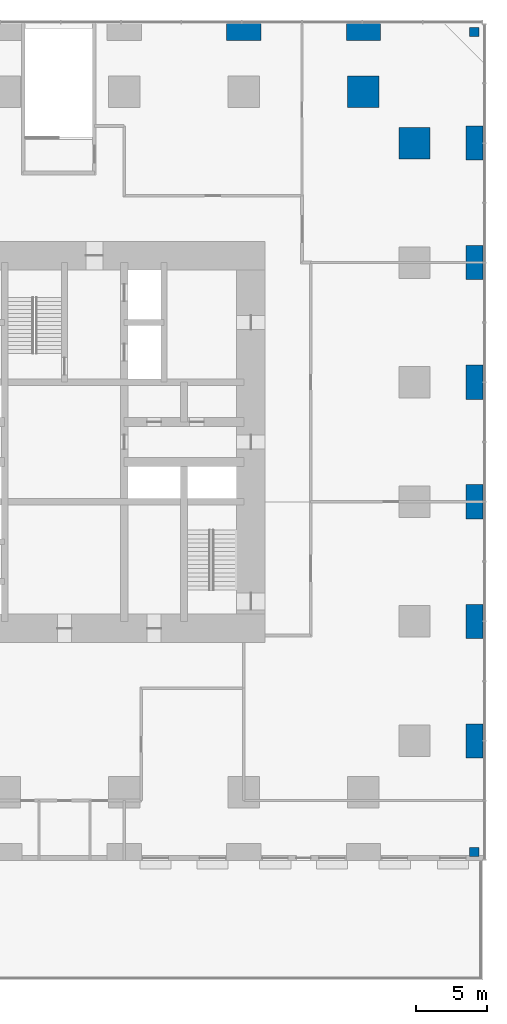
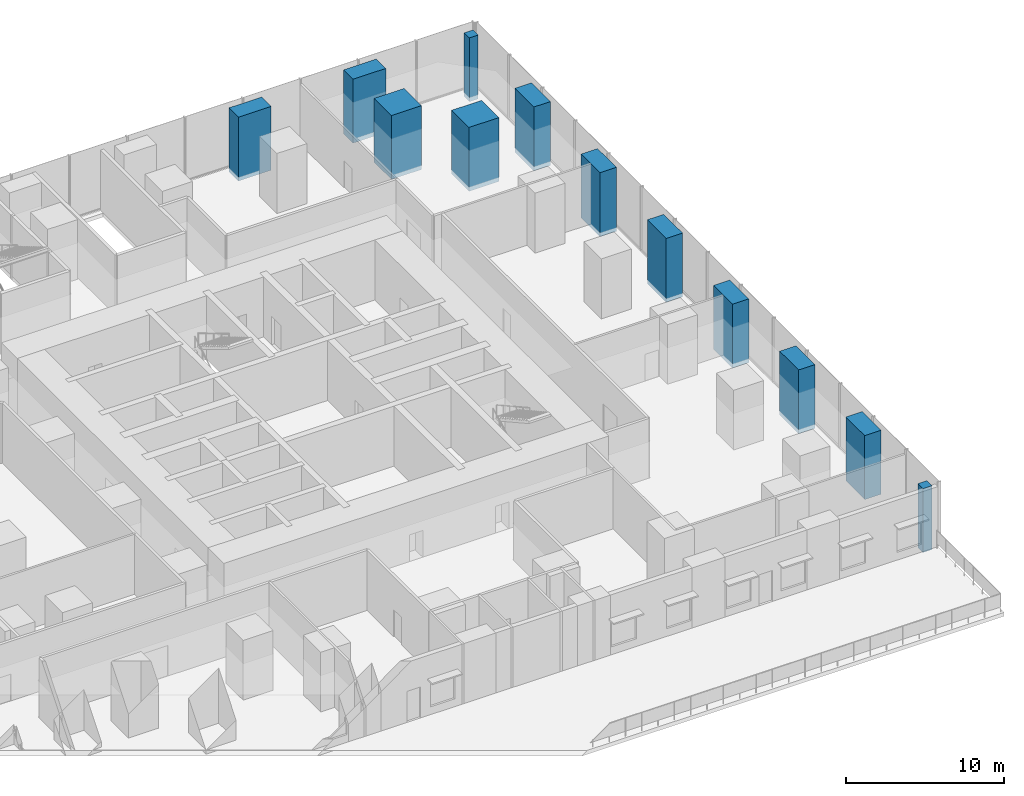
# One storey, part 5 of 18: 12 columns.
"""IFC4 building model written with IfcOpenShell, lengths in metres."""

from ifc_helpers import new_model, si_unit, direction, frame, origin, origin_2d, place, context, subcontext, project, spatial, rectangle, extrude, material, material_profile, profile_set, type_object, element, save


model = new_model("IFC4")

# Units and contexts
model_context = context("Model", 3, precision=1e-05, world=origin(), true_north=direction((0.0, 1.0)))
body_context = subcontext(model_context, "Body", "Model", "MODEL_VIEW")
ifc_project = project(units=[si_unit("LENGTHUNIT", "METRE"), si_unit("AREAUNIT", "SQUARE_METRE"), si_unit("VOLUMEUNIT", "CUBIC_METRE"), si_unit("PLANEANGLEUNIT", "RADIAN"), si_unit("MASSUNIT", "GRAM", prefix="KILO")], contexts=[model_context])

# Site, building, storey
site_placement = place(None, origin())
site = spatial("IfcSite", under=ifc_project, at=site_placement, CompositionType="ELEMENT")
building_placement = place(site_placement, origin())
building = spatial("IfcBuilding", under=site, at=building_placement, Name="Dunama Terrace Hotel", CompositionType="ELEMENT")
storey_placement = place(building_placement, frame((0.0, 0.0, 17.0)))
storey = spatial("IfcBuildingStorey", under=building, at=storey_placement, Name="L03", CompositionType="ELEMENT", Elevation=17.0)

# Columns
ifc_material_1 = material(Name="Concrete C60/75", Category="concrete")
ifc_material_profile_1 = material_profile(ifc_material_1, rectangle(XDim=1.199951171875, YDim=2.39990234375, at=origin_2d()), Name="RC 1200x2400")
ifc_profile_set_1 = profile_set([ifc_material_profile_1], Name="Concrete C60/75")
column_type_1 = type_object("IfcColumnType", Name="Column RC 1200x2400", PredefinedType="COLUMN", material=ifc_profile_set_1)
for number, where, z_axis, x_axis, name in (
    (1, (58.199951171875, 8.39990234375, -0.300048828125), (0.0, 0.0, 1.0), (1.0, 0.0, 0.0), "Column L03 +58.2/+8.4"),
    (2, (58.199951171875, 16.800048828125, -0.300048828125), (0.0, 0.0, 1.0), (1.0, 0.0, 0.0), "Column L03 +58.2/+16.8"),
    (3, (58.199951171875, 25.199951171875, -0.300048828125), (0.0, 0.0, 1.0), (1.0, 0.0, 0.0), "Column L03 +58.2/+25.2"),
    (4, (58.199951171875, 33.60009765625, -0.300048828125), (0.0, 0.0, 1.0), (1.0, 0.0, 0.0), "Column L03 +58.2/+33.6"),
    (5, (58.199951171875, 42.0, -0.300048828125), (0.0, 0.0, 1.0), (1.0, 0.0, 0.0), "Column L03 +58.2/+42.0"),
    (6, (58.199951171875, 50.39990234375, -0.300048828125), (0.0, 0.0, 1.0), (1.0, 0.0, 0.0), "Column L03 +58.2/+50.4"),
):
    element("IfcColumn", number, at=place(storey_placement, frame(where, z_axis=z_axis, x_axis=x_axis)), inside=storey, type_object=column_type_1, Name=name, PredefinedType="COLUMN", context=body_context, shape_type="SweptSolid", body=[
        extrude(rectangle(XDim=1.199951171875, YDim=2.39990234375, at=origin_2d()), origin(), (0.0, 0.0, 1.0), 4.949951171875),
    ])
ifc_material_2 = material(Name="Concrete C60/75", Category="concrete")
ifc_material_profile_2 = material_profile(ifc_material_2, rectangle(XDim=2.199951171875, YDim=2.199951171875, at=origin_2d()), Name="RC 2200x2200")
ifc_profile_set_2 = profile_set([ifc_material_profile_2], Name="Concrete C60/75")
column_type_2 = type_object("IfcColumnType", Name="Column RC 2200x2200", PredefinedType="COLUMN", material=ifc_profile_set_2)
for number, where, z_axis, x_axis, name in (
    (7, (50.39990234375, 54.0, -0.300048828125), (0.0, 0.0, 1.0), (1.0, 0.0, 0.0), "Column L03 +50.4/+54.0"),
    (8, (54.0, 50.39990234375, -0.300048828125), (0.0, 0.0, 1.0), (1.0, 0.0, 0.0), "Column L03 +54.0/+50.4"),
):
    element("IfcColumn", number, at=place(storey_placement, frame(where, z_axis=z_axis, x_axis=x_axis)), inside=storey, type_object=column_type_2, Name=name, PredefinedType="COLUMN", context=body_context, shape_type="SweptSolid", body=[
        extrude(rectangle(XDim=2.199951171875, YDim=2.199951171875, at=origin_2d()), origin(), (0.0, 0.0, 1.0), 4.949951171875),
    ])
ifc_material_3 = material(Name="Concrete C60/75", Category="concrete")
ifc_material_profile_3 = material_profile(ifc_material_3, rectangle(XDim=2.39990234375, YDim=1.199951171875, at=origin_2d()), Name="RC 2400x1200")
ifc_profile_set_3 = profile_set([ifc_material_profile_3], Name="Concrete C60/75")
column_type_3 = type_object("IfcColumnType", Name="Column RC 2400x1200", PredefinedType="COLUMN", material=ifc_profile_set_3)
for number, where, z_axis, x_axis, name in (
    (9, (42.0, 58.199951171875, -0.300048828125), (0.0, 0.0, 1.0), (1.0, 0.0, 0.0), "Column L03 +42.0/+58.2"),
    (10, (50.39990234375, 58.199951171875, -0.300048828125), (0.0, 0.0, 1.0), (1.0, 0.0, 0.0), "Column L03 +50.4/+58.2"),
):
    element("IfcColumn", number, at=place(storey_placement, frame(where, z_axis=z_axis, x_axis=x_axis)), inside=storey, type_object=column_type_3, Name=name, PredefinedType="COLUMN", context=body_context, shape_type="SweptSolid", body=[
        extrude(rectangle(XDim=2.39990234375, YDim=1.199951171875, at=origin_2d()), origin(), (0.0, 0.0, 1.0), 4.949951171875),
    ])
ifc_material_4 = material(Name="Concrete C40/50", Category="concrete")
ifc_material_profile_4 = material_profile(ifc_material_4, rectangle(XDim=0.64990234375, YDim=0.64990234375, at=origin_2d()), Name="RC 650x650")
ifc_profile_set_4 = profile_set([ifc_material_profile_4], Name="Concrete C40/50")
column_type_4 = type_object("IfcColumnType", Name="Column RC 650x650", PredefinedType="COLUMN", material=ifc_profile_set_4)
for number, where, z_axis, x_axis, name in (
    (11, (58.199951171875, 0.60009765625, -0.300048828125), (0.0, 0.0, 1.0), (1.0, 0.0, 0.0), "Column L03 +58.2/+0.6"),
    (12, (58.199951171875, 58.199951171875, -0.300048828125), (0.0, 0.0, 1.0), (1.0, 0.0, 0.0), "Column L03 +58.2/+58.2"),
):
    element("IfcColumn", number, at=place(storey_placement, frame(where, z_axis=z_axis, x_axis=x_axis)), inside=storey, type_object=column_type_4, Name=name, PredefinedType="COLUMN", context=body_context, shape_type="SweptSolid", body=[
        extrude(rectangle(XDim=0.64990234375, YDim=0.64990234375, at=origin_2d()), origin(), (0.0, 0.0, 1.0), 4.949951171875),
    ])

save(model, "model.ifc")
